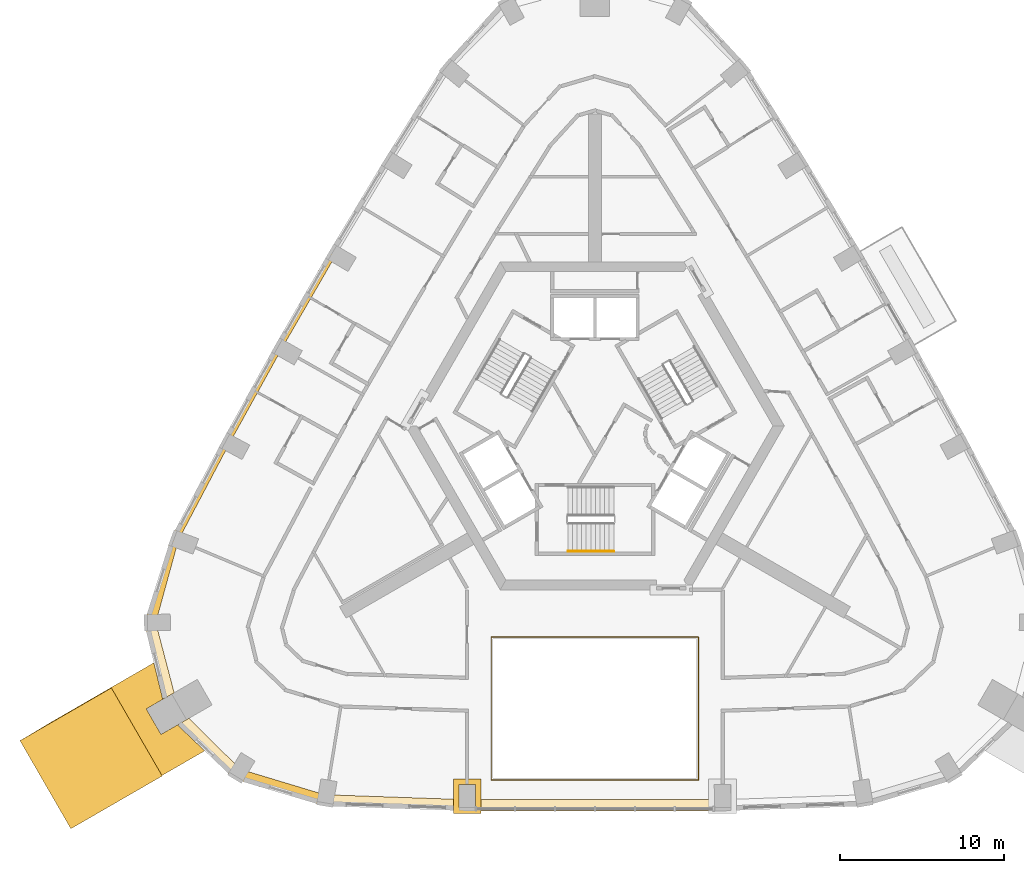
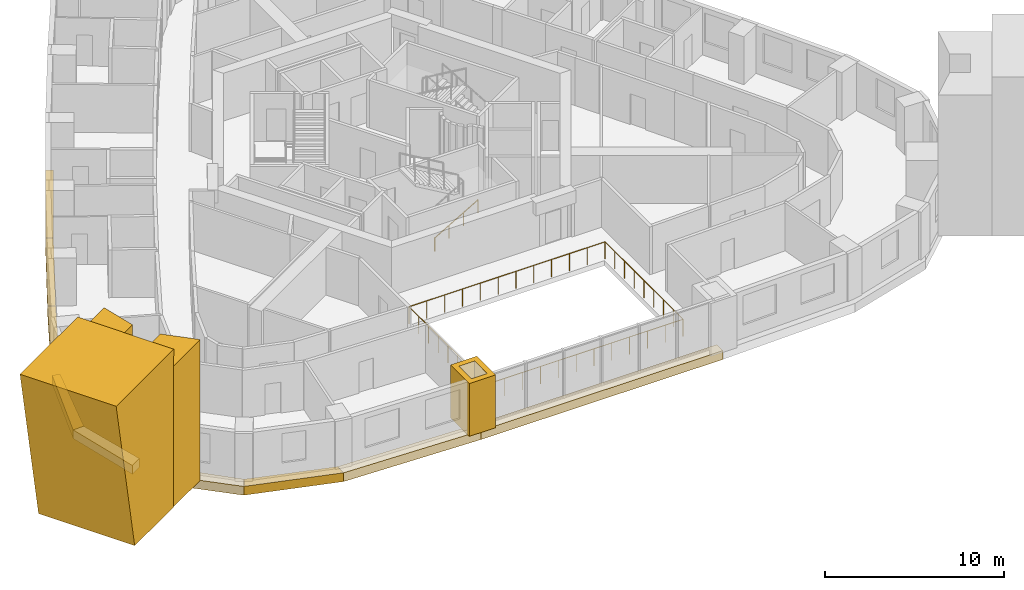
# One storey, part 11 of 13: 12 coverings, 2 railings.
"""IFC4 building model written with IfcOpenShell, lengths in metres."""

from ifc_helpers import new_model, si_unit, direction, frame, origin, origin_2d, place, context, subcontext, project, spatial, polyline, circle, outline, extrude, material, type_object, element, save


model = new_model("IFC4")

# Units and contexts
model_context = context("Model", 3, precision=1e-05, world=origin(), true_north=direction((0.0, 1.0)))
body_context = subcontext(model_context, "Body", "Model", "MODEL_VIEW")
ifc_project = project(units=[si_unit("LENGTHUNIT", "METRE"), si_unit("AREAUNIT", "SQUARE_METRE"), si_unit("VOLUMEUNIT", "CUBIC_METRE"), si_unit("PLANEANGLEUNIT", "RADIAN"), si_unit("MASSUNIT", "GRAM", prefix="KILO")], contexts=[model_context])

# Site, building, storey
site_placement = place(None, origin())
site = spatial("IfcSite", under=ifc_project, at=site_placement, CompositionType="ELEMENT")
building_placement = place(site_placement, origin())
building = spatial("IfcBuilding", under=site, at=building_placement, Name="Entoto Arch Interchange Tower", CompositionType="ELEMENT")
storey_placement = place(building_placement, frame((0.0, 0.0, 263.0)))
storey = spatial("IfcBuildingStorey", under=building, at=storey_placement, Name="L60", CompositionType="ELEMENT", Elevation=263.0)

# Railing
ifc_material_1 = material(Name="Stainless steel 1.4301", Category="steel")
railing_type_1 = type_object("IfcRailingType", Name="ATRIUM GUARD 1200 STEEL AND GLASS", PredefinedType="GUARDRAIL", material=ifc_material_1)
railing_1_placement = place(storey_placement, frame((6.320068359375, -19.089111328125, 0.0)))
element("IfcRailing", 1, at=railing_1_placement, inside=storey, type_object=railing_type_1, Name="Atrium guard L60", PredefinedType="GUARDRAIL", context=body_context, shape_type="SweptSolid", body=[
    extrude(circle(Radius=0.02392578125, at=origin_2d()), frame((0.0, 0.0, 1.17578125), z_axis=(-1.0, 0.0, 0.0), x_axis=(0.0, -1.0, 0.0)), (0.0, 0.0, 1.0), 12.64013671875),
    extrude(circle(Radius=0.02392578125, at=origin_2d()), frame((-12.64013671875, 0.0, 1.17578125), z_axis=(0.0, 1.0, 0.0), x_axis=(-1.0, 0.0, 0.0)), (0.0, 0.0, 1.0), 8.709228515625),
    extrude(circle(Radius=0.02392578125, at=origin_2d()), frame((-12.64013671875, 8.709228515625, 1.17578125), z_axis=(1.0, 0.0, 0.0), x_axis=(0.0, 1.0, 0.0)), (0.0, 0.0, 1.0), 12.64013671875),
    extrude(circle(Radius=0.02392578125, at=origin_2d()), frame((0.0, 8.709228515625, 1.17578125), z_axis=(0.0, -1.0, 0.0), x_axis=(1.0, 0.0, 0.0)), (0.0, 0.0, 1.0), 8.709228515625),
    extrude(circle(Radius=0.02099609375, at=origin_2d()), origin(), (0.0, 0.0, 1.0), 1.15185546875),
    extrude(circle(Radius=0.02099609375, at=origin_2d()), frame((-1.149169921875, 0.0, 0.0)), (0.0, 0.0, 1.0), 1.15185546875),
    extrude(circle(Radius=0.02099609375, at=origin_2d()), frame((-2.298095703125, 0.0, 0.0)), (0.0, 0.0, 1.0), 1.15185546875),
    extrude(circle(Radius=0.02099609375, at=origin_2d()), frame((-3.447265625, 0.0, 0.0)), (0.0, 0.0, 1.0), 1.15185546875),
    extrude(circle(Radius=0.02099609375, at=origin_2d()), frame((-4.596435546875, 0.0, 0.0)), (0.0, 0.0, 1.0), 1.15185546875),
    extrude(circle(Radius=0.02099609375, at=origin_2d()), frame((-5.74560546875, 0.0, 0.0)), (0.0, 0.0, 1.0), 1.15185546875),
    extrude(circle(Radius=0.02099609375, at=origin_2d()), frame((-6.89453125, 0.0, 0.0)), (0.0, 0.0, 1.0), 1.15185546875),
    extrude(circle(Radius=0.02099609375, at=origin_2d()), frame((-8.043701171875, 0.0, 0.0)), (0.0, 0.0, 1.0), 1.15185546875),
    extrude(circle(Radius=0.02099609375, at=origin_2d()), frame((-9.19287109375, 0.0, 0.0)), (0.0, 0.0, 1.0), 1.15185546875),
    extrude(circle(Radius=0.02099609375, at=origin_2d()), frame((-10.342041015625, 0.0, 0.0)), (0.0, 0.0, 1.0), 1.15185546875),
    extrude(circle(Radius=0.02099609375, at=origin_2d()), frame((-11.490966796875, 0.0, 0.0)), (0.0, 0.0, 1.0), 1.15185546875),
    extrude(circle(Radius=0.02099609375, at=origin_2d()), frame((-12.64013671875, 0.0, 0.0)), (0.0, 0.0, 1.0), 1.15185546875),
    extrude(circle(Radius=0.02099609375, at=origin_2d()), frame((-12.64013671875, 1.088623046875, 0.0)), (0.0, 0.0, 1.0), 1.15185546875),
    extrude(circle(Radius=0.02099609375, at=origin_2d()), frame((-12.64013671875, 2.17724609375, 0.0)), (0.0, 0.0, 1.0), 1.15185546875),
    extrude(circle(Radius=0.02099609375, at=origin_2d()), frame((-12.64013671875, 3.265869140625, 0.0)), (0.0, 0.0, 1.0), 1.15185546875),
    extrude(circle(Radius=0.02099609375, at=origin_2d()), frame((-12.64013671875, 4.3544921875, 0.0)), (0.0, 0.0, 1.0), 1.15185546875),
    extrude(circle(Radius=0.02099609375, at=origin_2d()), frame((-12.64013671875, 5.443359375, 0.0)), (0.0, 0.0, 1.0), 1.15185546875),
    extrude(circle(Radius=0.02099609375, at=origin_2d()), frame((-12.64013671875, 6.531982421875, 0.0)), (0.0, 0.0, 1.0), 1.15185546875),
    extrude(circle(Radius=0.02099609375, at=origin_2d()), frame((-12.64013671875, 7.62060546875, 0.0)), (0.0, 0.0, 1.0), 1.15185546875),
    extrude(circle(Radius=0.02099609375, at=origin_2d()), frame((-12.64013671875, 8.709228515625, 0.0)), (0.0, 0.0, 1.0), 1.15185546875),
    extrude(circle(Radius=0.02099609375, at=origin_2d()), frame((-11.490966796875, 8.709228515625, 0.0)), (0.0, 0.0, 1.0), 1.15185546875),
    extrude(circle(Radius=0.02099609375, at=origin_2d()), frame((-10.342041015625, 8.709228515625, 0.0)), (0.0, 0.0, 1.0), 1.15185546875),
    extrude(circle(Radius=0.02099609375, at=origin_2d()), frame((-9.19287109375, 8.709228515625, 0.0)), (0.0, 0.0, 1.0), 1.15185546875),
    extrude(circle(Radius=0.02099609375, at=origin_2d()), frame((-8.043701171875, 8.709228515625, 0.0)), (0.0, 0.0, 1.0), 1.15185546875),
    extrude(circle(Radius=0.02099609375, at=origin_2d()), frame((-6.89453125, 8.709228515625, 0.0)), (0.0, 0.0, 1.0), 1.15185546875),
    extrude(circle(Radius=0.02099609375, at=origin_2d()), frame((-5.74560546875, 8.709228515625, 0.0)), (0.0, 0.0, 1.0), 1.15185546875),
    extrude(circle(Radius=0.02099609375, at=origin_2d()), frame((-4.596435546875, 8.709228515625, 0.0)), (0.0, 0.0, 1.0), 1.15185546875),
    extrude(circle(Radius=0.02099609375, at=origin_2d()), frame((-3.447265625, 8.709228515625, 0.0)), (0.0, 0.0, 1.0), 1.15185546875),
    extrude(circle(Radius=0.02099609375, at=origin_2d()), frame((-2.298095703125, 8.709228515625, 0.0)), (0.0, 0.0, 1.0), 1.15185546875),
    extrude(circle(Radius=0.02099609375, at=origin_2d()), frame((-1.149169921875, 8.709228515625, 0.0)), (0.0, 0.0, 1.0), 1.15185546875),
    extrude(circle(Radius=0.02099609375, at=origin_2d()), frame((0.0, 8.709228515625, 0.0)), (0.0, 0.0, 1.0), 1.15185546875),
    extrude(circle(Radius=0.02099609375, at=origin_2d()), frame((0.0, 7.62060546875, 0.0)), (0.0, 0.0, 1.0), 1.15185546875),
    extrude(circle(Radius=0.02099609375, at=origin_2d()), frame((0.0, 6.531982421875, 0.0)), (0.0, 0.0, 1.0), 1.15185546875),
    extrude(circle(Radius=0.02099609375, at=origin_2d()), frame((0.0, 5.443359375, 0.0)), (0.0, 0.0, 1.0), 1.15185546875),
    extrude(circle(Radius=0.02099609375, at=origin_2d()), frame((0.0, 4.3544921875, 0.0)), (0.0, 0.0, 1.0), 1.15185546875),
    extrude(circle(Radius=0.02099609375, at=origin_2d()), frame((0.0, 3.265869140625, 0.0)), (0.0, 0.0, 1.0), 1.15185546875),
    extrude(circle(Radius=0.02099609375, at=origin_2d()), frame((0.0, 2.17724609375, 0.0)), (0.0, 0.0, 1.0), 1.15185546875),
    extrude(circle(Radius=0.02099609375, at=origin_2d()), frame((0.0, 1.088623046875, 0.0)), (0.0, 0.0, 1.0), 1.15185546875),
])

# Coverings
ifc_material_2 = material(Name="Board-marked precast concrete C50/60", Category="concrete")
covering_type_1 = type_object("IfcCoveringType", Name="PRECAST FRAME COURSE", PredefinedType="CLADDING", material=ifc_material_2)
covering_1_placement = place(storey_placement, frame((0.0, 0.0, -0.340087890625)))
element("IfcCovering", 2, at=covering_1_placement, inside=storey, type_object=covering_type_1, Name="Corner pilaster SW L60-L62", PredefinedType="CLADDING", context=body_context, shape_type="SweptSolid", body=[
    extrude(outline(polyline([(-26.39404296875, -18.819091796875), (-29.493896484375, -13.448974609375), (-26.887939453125, -11.945068359375), (-26.345947265625, -14.173095703125), (-27.35400390625, -14.7548828125), (-26.4541015625, -16.31298828125), (-25.446044921875, -15.73095703125), (-23.7880859375, -17.31396484375), (-26.39404296875, -18.819091796875)])), origin(), (0.0, 0.0, 1.0), 9.60009765625),
])
covering_2_placement = place(storey_placement, frame((-29.493896484375, -13.448974609375, -0.340087890625), z_axis=(-0.500009420144, 0.866014678998, 0.003025810233), x_axis=(-0.866018643373, -0.500011709193, 4.11e-08)))
element("IfcCovering", 3, at=covering_2_placement, inside=storey, type_object=covering_type_1, Name="Corner rib SW L60-L62", PredefinedType="CLADDING", context=body_context, shape_type="SweptSolid", body=[
    extrude(outline(polyline([(0.0, 0.0), (4.305950200745789, -8.673617379884035e-19), (6.433482829117923, 10.800098004116604), (-0.0005498343932710084, 10.800098445536795), (0.0, 0.0)])), origin(), (0.0, 0.0, -1.0), 6.199951171875),
])
covering_3_placement = place(storey_placement, frame((0.0, 0.0, -0.340087890625)))
element("IfcCovering", 4, at=covering_3_placement, inside=storey, type_object=covering_type_1, Name="Gate pier L60", PredefinedType="CLADDING", context=body_context, shape_type="SweptSolid", body=[
    extrude(outline(polyline([(-8.634033203125, -19.01904296875), (-6.93408203125, -19.01904296875), (-6.93408203125, -21.118896484375), (-8.634033203125, -21.118896484375), (-8.634033203125, -19.01904296875)]), holes=[polyline([(-8.283935546875, -19.368896484375), (-8.283935546875, -20.76904296875), (-7.283935546875, -20.76904296875), (-7.283935546875, -19.368896484375), (-8.283935546875, -19.368896484375)])]), origin(), (0.0, 0.0, 1.0), 3.60009765625),
])
covering_type_2 = type_object("IfcCoveringType", Name="PRECAST LEDGE COURSE", PredefinedType="CLADDING", material=ifc_material_2)
covering_4_placement = place(storey_placement, frame((0.0, 0.0, -0.93994140625)))
element("IfcCovering", 5, at=covering_4_placement, inside=storey, type_object=covering_type_2, Name="Precast course S-01 L60", PredefinedType="CLADDING", context=body_context, shape_type="SweptSolid", body=[
    extrude(outline(polyline([(-7.800048828125, -20.2890625), (-7.800048828125, -20.968994140625), (-16.47998046875, -20.679931640625), (-16.47998046875, -19.986083984375), (-7.800048828125, -20.2890625)])), origin(), (0.0, 0.0, 1.0), 0.599853515625),
])
covering_5_placement = place(storey_placement, frame((0.0, 0.0, -0.93994140625)))
element("IfcCovering", 6, at=covering_5_placement, inside=storey, type_object=covering_type_2, Name="Precast course S-02 L60", PredefinedType="CLADDING", context=body_context, shape_type="SweptSolid", body=[
    extrude(outline(polyline([(7.800048828125, -20.2890625), (7.800048828125, -20.968994140625), (-7.800048828125, -20.968994140625), (-7.800048828125, -20.2890625), (7.800048828125, -20.2890625)])), origin(), (0.0, 0.0, 1.0), 0.599853515625),
])
covering_6_placement = place(storey_placement, frame((0.0, 0.0, -0.93994140625)))
element("IfcCovering", 7, at=covering_6_placement, inside=storey, type_object=covering_type_2, Name="Precast course NW-03 L60", PredefinedType="CLADDING", context=body_context, shape_type="SweptSolid", body=[
    extrude(outline(polyline([(-19.087890625, 7.2080078125), (-19.47998046875, 7.428955078125), (-16.174072265625, 13.155029296875), (-15.785888671875, 12.926025390625), (-19.087890625, 7.2080078125)])), origin(), (0.0, 0.0, 1.0), 0.599853515625),
])
covering_7_placement = place(storey_placement, frame((0.0, 0.0, -0.93994140625)))
element("IfcCovering", 8, at=covering_7_placement, inside=storey, type_object=covering_type_2, Name="Precast course NW-04 L60", PredefinedType="CLADDING", context=body_context, shape_type="SweptSolid", body=[
    extrude(outline(polyline([(-22.280029296875, 1.427978515625), (-22.681884765625, 1.64404296875), (-19.47998046875, 7.428955078125), (-19.087890625, 7.2080078125), (-22.280029296875, 1.427978515625)])), origin(), (0.0, 0.0, 1.0), 0.599853515625),
])
covering_8_placement = place(storey_placement, frame((0.0, 0.0, -0.93994140625)))
element("IfcCovering", 9, at=covering_8_placement, inside=storey, type_object=covering_type_2, Name="Precast course NW-05 L60", PredefinedType="CLADDING", context=body_context, shape_type="SweptSolid", body=[
    extrude(outline(polyline([(-25.388916015625, -4.462890625), (-25.83203125, -4.299072265625), (-22.681884765625, 1.64404296875), (-22.280029296875, 1.427978515625), (-25.388916015625, -4.462890625)])), origin(), (0.0, 0.0, 1.0), 0.599853515625),
])
covering_9_placement = place(storey_placement, frame((0.0, 0.0, -0.93994140625)))
element("IfcCovering", 10, at=covering_9_placement, inside=storey, type_object=covering_type_2, Name="Precast course SW-01 L60", PredefinedType="CLADDING", context=body_context, shape_type="SweptSolid", body=[
    extrude(outline(polyline([(-26.77197265625, -9.493896484375), (-27.47900390625, -9.510986328125), (-25.83203125, -4.299072265625), (-25.388916015625, -4.462890625), (-26.77197265625, -9.493896484375)])), origin(), (0.0, 0.0, 1.0), 0.599853515625),
])
covering_10_placement = place(storey_placement, frame((0.0, 0.0, -0.93994140625)))
element("IfcCovering", 11, at=covering_10_placement, inside=storey, type_object=covering_type_2, Name="Precast course SW-02 L60", PredefinedType="CLADDING", context=body_context, shape_type="SweptSolid", body=[
    extrude(outline(polyline([(-25.65087890625, -13.77099609375), (-26.345947265625, -14.173095703125), (-27.47900390625, -9.510986328125), (-26.77197265625, -9.493896484375), (-25.65087890625, -13.77099609375)])), origin(), (0.0, 0.0, 1.0), 0.599853515625),
])
covering_11_placement = place(storey_placement, frame((0.0, 0.0, -0.93994140625)))
element("IfcCovering", 12, at=covering_11_placement, inside=storey, type_object=covering_type_2, Name="Precast course SW-03 L60", PredefinedType="CLADDING", context=body_context, shape_type="SweptSolid", body=[
    extrude(outline(polyline([(-21.60888671875, -18.43798828125), (-21.97705078125, -19.0419921875), (-25.447021484375, -15.73095703125), (-24.751953125, -15.330078125), (-21.60888671875, -18.43798828125)])), origin(), (0.0, 0.0, 1.0), 0.599853515625),
])
covering_12_placement = place(storey_placement, frame((0.0, 0.0, -0.93994140625)))
element("IfcCovering", 13, at=covering_12_placement, inside=storey, type_object=covering_type_2, Name="Precast course SW-04 L60", PredefinedType="CLADDING", context=body_context, shape_type="SweptSolid", body=[
    extrude(outline(polyline([(-16.47998046875, -19.986083984375), (-16.47998046875, -20.679931640625), (-21.97705078125, -19.0419921875), (-21.60888671875, -18.43798828125), (-16.47998046875, -19.986083984375)])), origin(), (0.0, 0.0, 1.0), 0.599853515625),
])

# Railing
railing_type_2 = type_object("IfcRailingType", Name="STAIR HANDRAIL 900 STEEL", PredefinedType="HANDRAIL", material=ifc_material_1)
railing_2_placement = place(storey_placement, frame((-1.64990234375, -5.14990234375, 0.16357421875)))
element("IfcRailing", 14, at=railing_2_placement, inside=storey, type_object=railing_type_2, Name="L60 ST-S stair handrail 1", PredefinedType="HANDRAIL", context=body_context, shape_type="SweptSolid", body=[
    extrude(circle(Radius=0.02392578125, at=origin_2d()), frame((0.0, 0.0, 0.8759765625), z_axis=(0.863341702679, 0.0, 0.504619762213), x_axis=(0.0, 1.0, 0.0)), (0.0, 0.0, 1.0), 3.242919921875),
    extrude(circle(Radius=0.02099609375, at=origin_2d()), origin(), (0.0, 0.0, 1.0), 0.851806640625),
    extrude(circle(Radius=0.02099609375, at=origin_2d()), frame((0.933349609375, 0.0, 0.54541015625)), (0.0, 0.0, 1.0), 0.851806640625),
    extrude(circle(Radius=0.02099609375, at=origin_2d()), frame((1.866455078125, 0.0, 1.091064453125)), (0.0, 0.0, 1.0), 0.851806640625),
    extrude(circle(Radius=0.02099609375, at=origin_2d()), frame((2.7998046875, 0.0, 1.636474609375)), (0.0, 0.0, 1.0), 0.851806640625),
])

save(model, "model.ifc")
